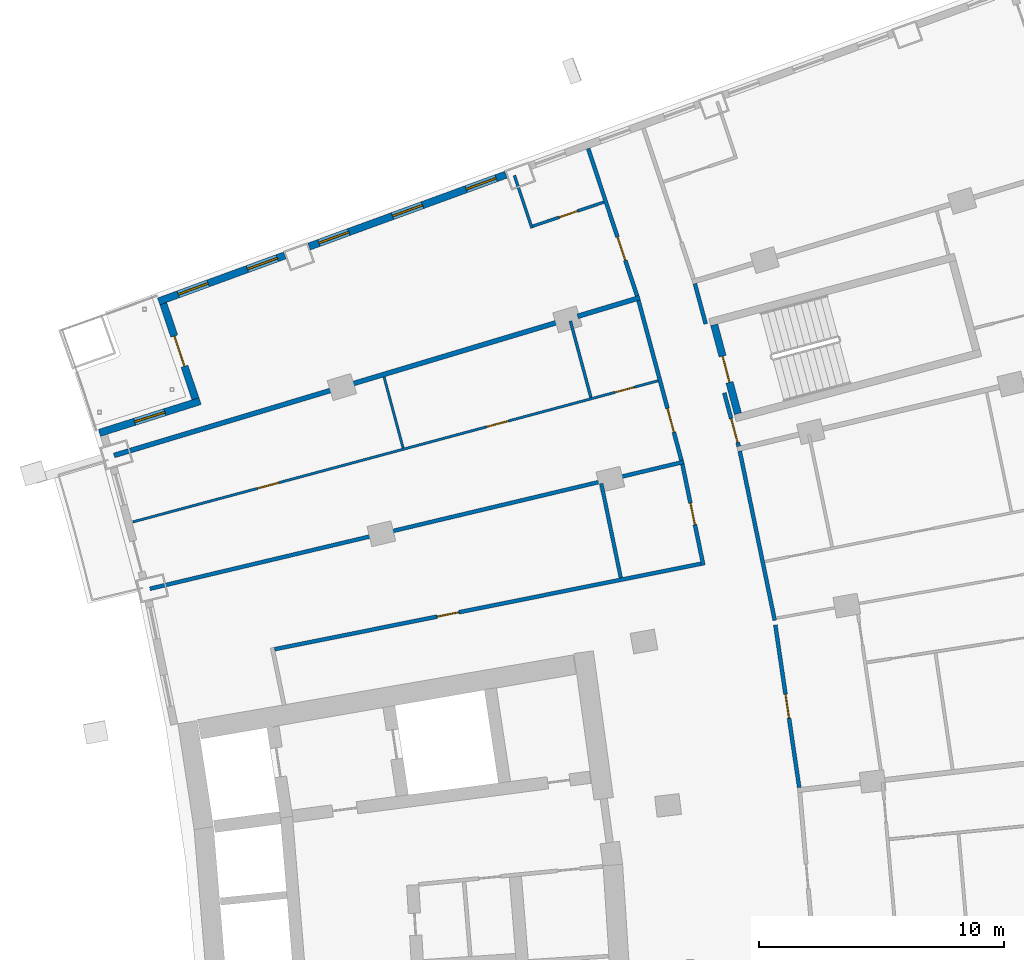
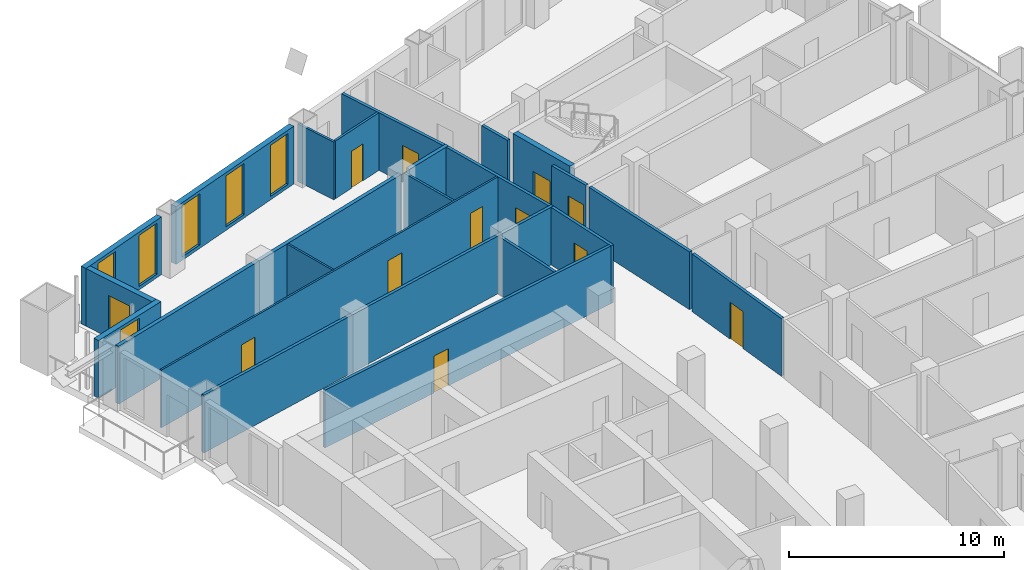
# One storey, part 19 of 25: 22 walls, 12 doors, 6 windows, 18 openings.
"""IFC4 building model written with IfcOpenShell, lengths in metres."""

import ifcopenshell
import ifcopenshell.guid

model = None  # the IFC model being written
_history = None  # IfcOwnerHistory: only IFC2X3 demands one
_inside = {}  # id of a spatial element -> (the spatial element, [elements in it])
_under = {}  # id of a project, library or spatial element -> (it, [spatial elements below it])
_declared = {}  # id of a project -> (the project, [libraries it declares])
_typed = {}  # id of a type object -> (the type object, [elements of that type])
_made_of = {}  # id of a material, layer set ... -> (it, [elements and type objects made of it])


def new_model(schema):
    """Start an empty IFC model of exactly this schema.

    Asked for "IFC4X3", IfcOpenShell would pick the latest addendum, in which some entities
    have other attributes; the version numbers below select the first issue.
    IFC2X3 requires an IfcOwnerHistory on every rooted entity: one is made here for all.
    """
    global model, _history
    if schema == "IFC4X3":
        model = ifcopenshell.file(schema_version=(4, 3, 0, 0))
    else:
        model = ifcopenshell.file(schema=schema)
    _inside.clear()
    _under.clear()
    _declared.clear()
    _typed.clear()
    _made_of.clear()
    _history = None
    if model.schema == "IFC2X3":
        org = make("IfcOrganization", Name="unknown")
        user = make(
            "IfcPersonAndOrganization",
            ThePerson=make("IfcPerson", FamilyName="unknown"),
            TheOrganization=org,
        )
        app = make(
            "IfcApplication",
            ApplicationDeveloper=org,
            Version="unknown",
            ApplicationFullName="unknown",
            ApplicationIdentifier="unknown",
        )
        _history = make(
            "IfcOwnerHistory",
            OwningUser=user,
            OwningApplication=app,
            ChangeAction="ADDED",
            CreationDate=0,
        )
    return model


def make(cls, **values):
    """One entity of the class cls with the attributes given. An attribute that is None is left unset."""
    return model.create_entity(
        cls, **{name: value for name, value in values.items() if value is not None}
    )


def rooted(cls, **values):
    """An entity with a GlobalId (a new one), such as an element, a storey or a relation."""
    return make(cls, GlobalId=ifcopenshell.guid.new(), OwnerHistory=_history, **values)


def si_unit(unit_type, name, prefix=None):
    """IfcSIUnit, for example si_unit("LENGTHUNIT", "METRE", prefix="MILLI")."""
    return make("IfcSIUnit", UnitType=unit_type, Prefix=prefix, Name=name)


def assignment(units):
    """IfcUnitAssignment: the units of a project."""
    return None if units is None else make("IfcUnitAssignment", Units=units)


def point(xyz):
    """IfcCartesianPoint."""
    return None if xyz is None else make("IfcCartesianPoint", Coordinates=xyz)


def direction(xyz):
    """IfcDirection."""
    return None if xyz is None else make("IfcDirection", DirectionRatios=xyz)


def frame(location, z_axis=None, x_axis=None):
    """IfcAxis2Placement3D, a coordinate frame: its origin and axes. An axis left out is left unset."""
    return make(
        "IfcAxis2Placement3D",
        Location=point(location),
        Axis=direction(z_axis),
        RefDirection=direction(x_axis),
    )


def frame_2d(location, x_axis=None):
    """IfcAxis2Placement2D, a coordinate frame in the plane: its origin and x axis."""
    return make(
        "IfcAxis2Placement2D", Location=point(location), RefDirection=direction(x_axis)
    )


def origin():
    """The frame at (0, 0, 0) with its axes left unset."""
    return frame((0.0, 0.0, 0.0))


def place(relative_to, where):
    """IfcLocalPlacement: puts the frame where relative to a parent placement (None: the world)."""
    return make(
        "IfcLocalPlacement", PlacementRelTo=relative_to, RelativePlacement=where
    )


def context(
    kind, dimensions, precision=None, world=None, true_north=None, identifier=None
):
    """IfcGeometricRepresentationContext, for example the 3D "Model" context."""
    return make(
        "IfcGeometricRepresentationContext",
        ContextIdentifier=identifier,
        ContextType=kind,
        CoordinateSpaceDimension=dimensions,
        Precision=precision,
        WorldCoordinateSystem=world,
        TrueNorth=true_north,
    )


def subcontext(parent, identifier, kind, view, scale=None):
    """IfcGeometricRepresentationSubContext, for example "Body" below "Model"."""
    return make(
        "IfcGeometricRepresentationSubContext",
        ContextIdentifier=identifier,
        ContextType=kind,
        ParentContext=parent,
        TargetScale=scale,
        TargetView=view,
    )


def project(units=None, contexts=None):
    """IfcProject with its units and contexts."""
    return rooted(
        "IfcProject",
        Name="project",
        RepresentationContexts=contexts,
        UnitsInContext=assignment(units),
    )


def spatial(cls, under=None, at=None, **own):
    """A site, building, storey or space (cls), placed at a placement, below another one or the project."""
    s = rooted(cls, ObjectPlacement=at, **own)
    if under is not None:
        _under.setdefault(under.id(), (under, []))[1].append(s)
    return s


def profile(cls, at=None, kind="AREA", **sizes):
    """A parametric profile (cls). Its sizes go by their IFC names, for example OverallWidth=200.0."""
    return make(cls, ProfileType=kind, Position=at, **sizes)


def rectangle(**sizes):
    """IfcRectangleProfileDef."""
    return profile("IfcRectangleProfileDef", **sizes)


def extrude(swept, where, along, depth):
    """IfcExtrudedAreaSolid: the profile swept, set in the frame where, extruded along a direction by depth."""
    return make(
        "IfcExtrudedAreaSolid",
        SweptArea=swept,
        Position=where,
        ExtrudedDirection=direction(along),
        Depth=depth,
    )


def shape(context_of_items, identifier, shape_type, items):
    """IfcShapeRepresentation: the items that make up one representation, for example the "Body"."""
    return make(
        "IfcShapeRepresentation",
        ContextOfItems=context_of_items,
        RepresentationIdentifier=identifier,
        RepresentationType=shape_type,
        Items=items,
    )


def material(Name=None, Category=None):
    """IfcMaterial."""
    return make("IfcMaterial", Name=Name, Category=Category)


def layer(
    of_material, thickness, ventilated=None, Name=None, Category=None, Priority=None
):
    """IfcMaterialLayer: one layer of a wall or slab, of a material (None: an air gap)."""
    return make(
        "IfcMaterialLayer",
        Material=of_material,
        LayerThickness=thickness,
        IsVentilated=ventilated,
        Name=Name,
        Category=Category,
        Priority=Priority,
    )


def layer_set(layers, Name=None):
    """IfcMaterialLayerSet."""
    return make("IfcMaterialLayerSet", MaterialLayers=layers, LayerSetName=Name)


def made_of(thing, what):
    """Note that an element or type object is made of a material, layer set ...; save() writes the relation."""
    if what is not None:
        _made_of.setdefault(what.id(), (what, []))[1].append(thing)
    return thing


def type_object(cls, material=None, **own):
    """A type object (cls), such as IfcWallType, which elements share."""
    return made_of(rooted(cls, **own), material)


def element(
    cls,
    number,
    at=None,
    inside=None,
    cuts=None,
    type_object=None,
    material=None,
    context=None,
    identifier="Body",
    shape_type=None,
    held_by="IfcProductDefinitionShape",
    body=None,
    shapes=None,
    **own,
):
    """One element of the class cls, such as IfcWall. Its Tag is "e" and its number.

    at: its placement. inside: the storey or other place that contains it. cuts: it is an
    opening in that element (IfcRelVoidsElement). A single representation is given by context,
    identifier, shape_type and body (its items); several are given by shapes. held_by: the class
    of the entity that holds the representations. save() writes the other relations.
    """
    e = rooted(cls, Tag="e%d" % number, ObjectPlacement=at, **own)
    if body is not None:
        shapes = [shape(context, identifier, shape_type, body)]
    if shapes is not None:
        e.Representation = make(held_by, Representations=shapes)
    if inside is not None:
        _inside.setdefault(inside.id(), (inside, []))[1].append(e)
    if cuts is not None:
        rooted(
            "IfcRelVoidsElement", RelatingBuildingElement=cuts, RelatedOpeningElement=e
        )
    if type_object is not None:
        _typed.setdefault(type_object.id(), (type_object, []))[1].append(e)
    return made_of(e, material)


def fill(opening, filler):
    """IfcRelFillsElement: the door or window that sits in an opening."""
    return rooted(
        "IfcRelFillsElement",
        RelatingOpeningElement=opening,
        RelatedBuildingElement=filler,
    )


def aggregate(whole, parts):
    """IfcRelAggregates: a whole, such as a stair, and the parts it consists of."""
    return rooted("IfcRelAggregates", RelatingObject=whole, RelatedObjects=parts)


def save(model, path):
    """Write the relations noted so far, then the file.

    IfcRelAggregates (storeys below a building ...), IfcRelContainedInSpatialStructure (elements
    in a storey), IfcRelDefinesByType, IfcRelAssociatesMaterial and IfcRelDeclares: one each for
    every whole, place, type object, material and project.
    """
    for whole, parts in _under.values():
        aggregate(whole, parts)
    for where, things in _inside.values():
        rooted(
            "IfcRelContainedInSpatialStructure",
            RelatedElements=things,
            RelatingStructure=where,
        )
    for kind, things in _typed.values():
        rooted("IfcRelDefinesByType", RelatedObjects=things, RelatingType=kind)
    for what, things in _made_of.values():
        rooted("IfcRelAssociatesMaterial", RelatedObjects=things, RelatingMaterial=what)
    for by, libraries in _declared.values():
        rooted("IfcRelDeclares", RelatingContext=by, RelatedDefinitions=libraries)
    model.write(path)


model = new_model("IFC4")

# Units and contexts
model_context = context("Model", 3, precision=1e-05, world=origin(), true_north=direction((0.0, 1.0)))
body_context = subcontext(model_context, "Body", "Model", "MODEL_VIEW")
ifc_project = project(units=[si_unit("LENGTHUNIT", "METRE"), si_unit("AREAUNIT", "SQUARE_METRE"), si_unit("VOLUMEUNIT", "CUBIC_METRE"), si_unit("PLANEANGLEUNIT", "RADIAN"), si_unit("MASSUNIT", "GRAM", prefix="KILO")], contexts=[model_context])

# Site, building, storey
site_placement = place(None, origin())
site = spatial("IfcSite", under=ifc_project, at=site_placement, CompositionType="ELEMENT")
building_placement = place(site_placement, origin())
building = spatial("IfcBuilding", under=site, at=building_placement, Name="Alderwake Tower", CompositionType="ELEMENT")
storey_placement = place(building_placement, frame((0.0, 0.0, 111.199951171875)))
storey = spatial("IfcBuildingStorey", under=building, at=storey_placement, Name="L27", CompositionType="ELEMENT", Elevation=111.199951171875)

# Wall, opening, door
ifc_material_1 = material(Name="Concrete C70/85", Category="concrete")
ifc_layer_1 = layer(ifc_material_1, 0.300048828125)
ifc_layer_set_1 = layer_set([ifc_layer_1], Name="Core wall stair enclosure 300 C70-85")
wall_type_1 = type_object("IfcWallType", Name="Core wall stair enclosure 300 C70-85", PredefinedType="SHEAR", material=ifc_layer_set_1)
wall_1_placement = place(storey_placement, frame((37.8603515625, 90.452392578125, 0.0), z_axis=(0.0, 0.0, 1.0), x_axis=(-0.257411420208, 0.966301899381, 0.0)))
wall_1 = element("IfcWall", 1, at=wall_1_placement, inside=storey, type_object=wall_type_1, Name="Core wall CW.083", PredefinedType="SHEAR", context=body_context, shape_type="SweptSolid", body=[
    extrude(rectangle(XDim=3.750244140625, YDim=0.300048828125, at=frame_2d((1.875, 0.0))), origin(), (0.0, 0.0, 1.0), 3.60009765625),
])
opening_1_placement = place(wall_1_placement, frame((1.324951171875, 0.0, 0.0)))
opening_1 = element("IfcOpeningElement", 2, at=opening_1_placement, cuts=wall_1, Name="Opening C062", PredefinedType="OPENING", context=body_context, shape_type="SweptSolid", body=[
    extrude(rectangle(XDim=1.10009765625, YDim=2.10009765625, at=frame_2d((0.550048828125, 1.050048828125))), frame((0.0, 0.159912109375, 0.0), z_axis=(0.0, -1.0, 0.0), x_axis=(1.0, 0.0, 0.0)), (0.0, 0.0, 1.0), 0.320068359375),
])
ifc_material_2 = material(Name="Steel-framed fire door leaf", Category="steel")
door_type_1 = type_object("IfcDoorType", Name="Core stair door 1100 fire-rated", OperationType="SINGLE_SWING_LEFT", PredefinedType="DOOR", material=ifc_material_2)
door_1_placement = place(opening_1_placement, origin())
door_1 = element("IfcDoor", 3, at=door_1_placement, inside=storey, type_object=door_type_1, Name="Stair door", OperationType="SINGLE_SWING_RIGHT", OverallHeight=2.10009765625, OverallWidth=1.10009765625, PredefinedType="DOOR", context=body_context, shape_type="SweptSolid", body=[
    extrude(rectangle(XDim=1.10009765625, YDim=2.10009765625, at=frame_2d((0.550048828125, 1.050048828125))), frame((0.0, 0.02490234375, 0.0), z_axis=(0.0, -1.0, 0.0), x_axis=(1.0, 0.0, 0.0)), (0.0, 0.0, 1.0), 0.050048828125),
])
fill(opening_1, door_1)

# Wall
ifc_material_3 = material(Name="Gypsum board on metal studs, rated")
ifc_layer_2 = layer(ifc_material_3, 0.159912109375)
ifc_layer_set_2 = layer_set([ifc_layer_2], Name="Corridor wall 160")
wall_type_2 = type_object("IfcWallType", Name="Corridor wall 160", PredefinedType="PARTITIONING", material=ifc_layer_set_2)
wall_2_placement = place(storey_placement, frame((13.884033203125, 83.31298828125, 0.0), z_axis=(0.0, 0.0, 1.0), x_axis=(0.972893462073, 0.231253781493, 0.0)))
element("IfcWall", 4, at=wall_2_placement, inside=storey, type_object=wall_type_2, Name="WL/L27/W17", PredefinedType="PARTITIONING", context=body_context, shape_type="SweptSolid", body=[
    extrude(rectangle(XDim=22.38037109375, YDim=0.159912109375, at=frame_2d((11.190185546875, 0.0))), origin(), (0.0, 0.0, 1.0), 3.280029296875),
])

# Wall, opening, door
wall_3_placement = place(storey_placement, frame((33.75146484375, 95.2548828125, 0.0), z_axis=(0.0, 0.0, 1.0), x_axis=(-0.315406156735, 0.948956772616, 0.0)))
wall_3 = element("IfcWall", 5, at=wall_3_placement, inside=storey, type_object=wall_type_2, Name="WL/L27/W21", PredefinedType="PARTITIONING", context=body_context, shape_type="SweptSolid", body=[
    extrude(rectangle(XDim=6.330078125, YDim=0.159912109375, at=frame_2d((3.1650390625, 0.0))), origin(), (0.0, 0.0, 1.0), 3.280029296875),
])
opening_2_placement = place(wall_3_placement, frame((1.529052734375, 0.0, 0.0)))
opening_2 = element("IfcOpeningElement", 6, at=opening_2_placement, cuts=wall_3, Name="Opening R07-U13.1", PredefinedType="OPENING", context=body_context, shape_type="SweptSolid", body=[
    extrude(rectangle(XDim=1.0, YDim=2.10009765625, at=frame_2d((0.5, 1.050048828125))), frame((0.0, 0.08984375, 0.0), z_axis=(0.0, -1.0, 0.0), x_axis=(1.0, 0.0, 0.0)), (0.0, 0.0, 1.0), 0.179931640625),
])
ifc_material_4 = material(Name="Solid timber leaf in steel frame", Category="steel")
door_type_2 = type_object("IfcDoorType", Name="Flat entrance door 1000 fire-rated", OperationType="SINGLE_SWING_LEFT", PredefinedType="DOOR", material=ifc_material_4)
door_2_placement = place(opening_2_placement, origin())
door_2 = element("IfcDoor", 7, at=door_2_placement, inside=storey, type_object=door_type_2, Name="DR/L27/U13.1", OperationType="SINGLE_SWING_LEFT", OverallHeight=2.10009765625, OverallWidth=1.0, PredefinedType="DOOR", context=body_context, shape_type="SweptSolid", body=[
    extrude(rectangle(XDim=1.0, YDim=2.10009765625, at=frame_2d((0.5, 1.050048828125))), frame((0.0, 0.02490234375, 0.0), z_axis=(0.0, -1.0, 0.0), x_axis=(1.0, 0.0, 0.0)), (0.0, 0.0, 1.0), 0.050048828125),
])
fill(opening_2, door_2)

wall_4_placement = place(storey_placement, frame((35.55908203125, 88.54736328125, 0.0), z_axis=(0.0, 0.0, 1.0), x_axis=(-0.259373900693, 0.965776982351, 0.0)))
wall_4 = element("IfcWall", 8, at=wall_4_placement, inside=storey, type_object=wall_type_2, Name="WL/L27/W24", PredefinedType="PARTITIONING", context=body_context, shape_type="SweptSolid", body=[
    extrude(rectangle(XDim=6.7470703125, YDim=0.159912109375, at=frame_2d((3.37353515625, 0.0))), origin(), (0.0, 0.0, 1.0), 3.280029296875),
])
opening_3_placement = place(wall_4_placement, frame((1.191650390625, 0.0, 0.0)))
opening_3 = element("IfcOpeningElement", 9, at=opening_3_placement, cuts=wall_4, Name="Opening R07-U12.2", PredefinedType="OPENING", context=body_context, shape_type="SweptSolid", body=[
    extrude(rectangle(XDim=1.0, YDim=2.10009765625, at=frame_2d((0.5, 1.050048828125))), frame((0.0, 0.08984375, 0.0), z_axis=(0.0, -1.0, 0.0), x_axis=(1.0, 0.0, 0.0)), (0.0, 0.0, 1.0), 0.179931640625),
])
door_3_placement = place(opening_3_placement, origin())
door_3 = element("IfcDoor", 10, at=door_3_placement, inside=storey, type_object=door_type_2, Name="DR/L27/U12.2", OperationType="SINGLE_SWING_LEFT", OverallHeight=2.10009765625, OverallWidth=1.0, PredefinedType="DOOR", context=body_context, shape_type="SweptSolid", body=[
    extrude(rectangle(XDim=1.0, YDim=2.10009765625, at=frame_2d((0.5, 1.050048828125))), frame((0.0, 0.02490234375, 0.0), z_axis=(0.0, -1.0, 0.0), x_axis=(1.0, 0.0, 0.0)), (0.0, 0.0, 1.0), 0.050048828125),
])
fill(opening_3, door_3)

wall_5_placement = place(storey_placement, frame((36.451416015625, 84.272705078125, 0.0), z_axis=(0.0, 0.0, 1.0), x_axis=(-0.20329833965, 0.979116839348, 0.0)))
wall_5 = element("IfcWall", 11, at=wall_5_placement, inside=storey, type_object=wall_type_2, Name="WL/L27/W26", PredefinedType="PARTITIONING", context=body_context, shape_type="SweptSolid", body=[
    extrude(rectangle(XDim=4.206787109375, YDim=0.159912109375, at=frame_2d((2.103515625, 0.0))), origin(), (0.0, 0.0, 1.0), 3.280029296875),
])
opening_4_placement = place(wall_5_placement, frame((1.69287109375, 0.0, 0.0)))
opening_4 = element("IfcOpeningElement", 12, at=opening_4_placement, cuts=wall_5, Name="Opening R07-SBN2", PredefinedType="OPENING", context=body_context, shape_type="SweptSolid", body=[
    extrude(rectangle(XDim=0.89990234375, YDim=2.10009765625, at=frame_2d((0.449951171875, 1.050048828125))), frame((0.0, 0.08984375, 0.0), z_axis=(0.0, -1.0, 0.0), x_axis=(1.0, 0.0, 0.0)), (0.0, 0.0, 1.0), 0.179931640625),
])
ifc_material_5 = material(Name="Painted timber leaf", Category="wood")
door_type_3 = type_object("IfcDoorType", Name="Room door 900", OperationType="SINGLE_SWING_LEFT", PredefinedType="DOOR", material=ifc_material_5)
door_4_placement = place(opening_4_placement, origin())
door_4 = element("IfcDoor", 13, at=door_4_placement, inside=storey, type_object=door_type_3, Name="DR/L27/SBN2", OperationType="SINGLE_SWING_LEFT", OverallHeight=2.10009765625, OverallWidth=0.89990234375, PredefinedType="DOOR", context=body_context, shape_type="SweptSolid", body=[
    extrude(rectangle(XDim=0.89990234375, YDim=2.10009765625, at=frame_2d((0.449951171875, 1.050048828125))), frame((0.0, 0.02490234375, 0.0), z_axis=(0.0, -1.0, 0.0), x_axis=(1.0, 0.0, 0.0)), (0.0, 0.0, 1.0), 0.050048828125),
])
fill(opening_4, door_4)

wall_6_placement = place(storey_placement, frame((18.969482421875, 80.84765625, 0.0), z_axis=(0.0, 0.0, 1.0), x_axis=(0.980470914622, 0.196664144112, 0.0)))
wall_6 = element("IfcWall", 14, at=wall_6_placement, inside=storey, type_object=wall_type_2, Name="WL/L27/W30", PredefinedType="PARTITIONING", context=body_context, shape_type="SweptSolid", body=[
    extrude(rectangle(XDim=17.733642578125, YDim=0.159912109375, at=frame_2d((8.86669921875, 0.0))), origin(), (0.0, 0.0, 1.0), 3.280029296875),
])
opening_5_placement = place(wall_6_placement, frame((6.756591796875, 0.0, 0.0)))
opening_5 = element("IfcOpeningElement", 15, at=opening_5_placement, cuts=wall_6, Name="Opening R07-SBN1", PredefinedType="OPENING", context=body_context, shape_type="SweptSolid", body=[
    extrude(rectangle(XDim=0.89990234375, YDim=2.10009765625, at=frame_2d((0.449951171875, 1.050048828125))), frame((0.0, 0.08984375, 0.0), z_axis=(0.0, -1.0, 0.0), x_axis=(1.0, 0.0, 0.0)), (0.0, 0.0, 1.0), 0.179931640625),
])
door_5_placement = place(opening_5_placement, origin())
door_5 = element("IfcDoor", 16, at=door_5_placement, inside=storey, type_object=door_type_3, Name="DR/L27/SBN1", OperationType="SINGLE_SWING_LEFT", OverallHeight=2.10009765625, OverallWidth=0.89990234375, PredefinedType="DOOR", context=body_context, shape_type="SweptSolid", body=[
    extrude(rectangle(XDim=0.89990234375, YDim=2.10009765625, at=frame_2d((0.449951171875, 1.050048828125))), frame((0.0, 0.02490234375, 0.0), z_axis=(0.0, -1.0, 0.0), x_axis=(1.0, 0.0, 0.0)), (0.0, 0.0, 1.0), 0.050048828125),
])
fill(opening_5, door_5)

# Wall
wall_7_placement = place(storey_placement, frame((36.549072265625, 94.110107421875, 0.0), z_axis=(0.0, 0.0, 1.0), x_axis=(-0.259813977097, 0.965658685719, 0.0)))
element("IfcWall", 17, at=wall_7_placement, inside=storey, type_object=wall_type_2, Name="WL/L27/W31", PredefinedType="PARTITIONING", context=body_context, shape_type="SweptSolid", body=[
    extrude(rectangle(XDim=1.70166015625, YDim=0.159912109375, at=frame_2d((0.850830078125, 0.0))), origin(), (0.0, 0.0, 1.0), 3.280029296875),
])

# Wall, opening, door
wall_8_placement = place(storey_placement, frame((37.304931640625, 91.299072265625, 0.0), z_axis=(0.0, 0.0, 1.0), x_axis=(0.259946294884, -0.965623075416, 0.0)))
wall_8 = element("IfcWall", 18, at=wall_8_placement, inside=storey, type_object=wall_type_2, Name="WL/L27/W34", PredefinedType="PARTITIONING", context=body_context, shape_type="SweptSolid", body=[
    extrude(rectangle(XDim=2.255126953125, YDim=0.159912109375, at=frame_2d((1.12744140625, 0.0))), origin(), (0.0, 0.0, 1.0), 3.280029296875),
])
opening_6_placement = place(wall_8_placement, frame((1.083984375, 0.0, 0.0)))
opening_6 = element("IfcOpeningElement", 19, at=opening_6_placement, cuts=wall_8, Name="Opening R07-U02.1", PredefinedType="OPENING", context=body_context, shape_type="SweptSolid", body=[
    extrude(rectangle(XDim=1.0, YDim=2.10009765625, at=frame_2d((0.5, 1.050048828125))), frame((0.0, 0.08984375, 0.0), z_axis=(0.0, -1.0, 0.0), x_axis=(1.0, 0.0, 0.0)), (0.0, 0.0, 1.0), 0.179931640625),
])
door_6_placement = place(opening_6_placement, origin())
door_6 = element("IfcDoor", 20, at=door_6_placement, inside=storey, type_object=door_type_2, Name="DR/L27/U02.1", OperationType="SINGLE_SWING_LEFT", OverallHeight=2.10009765625, OverallWidth=1.0, PredefinedType="DOOR", context=body_context, shape_type="SweptSolid", body=[
    extrude(rectangle(XDim=1.0, YDim=2.10009765625, at=frame_2d((0.5, 1.050048828125))), frame((0.0, 0.02490234375, 0.0), z_axis=(0.0, -1.0, 0.0), x_axis=(1.0, 0.0, 0.0)), (0.0, 0.0, 1.0), 0.050048828125),
])
fill(opening_6, door_6)

# Wall
wall_9_placement = place(storey_placement, frame((39.3642578125, 82.022705078125, 0.0), z_axis=(0.0, 0.0, 1.0), x_axis=(-0.20240521091, 0.979301858773, 0.0)))
element("IfcWall", 21, at=wall_9_placement, inside=storey, type_object=wall_type_2, Name="WL/L27/W36", PredefinedType="PARTITIONING", context=body_context, shape_type="SweptSolid", body=[
    extrude(rectangle(XDim=7.05029296875, YDim=0.159912109375, at=frame_2d((3.525146484375, 0.0))), origin(), (0.0, 0.0, 1.0), 3.280029296875),
])

# Wall, opening, door
wall_10_placement = place(storey_placement, frame((39.38671875, 81.837158203125, 0.0), z_axis=(0.0, 0.0, 1.0), x_axis=(0.145576845789, -0.989346947218, 0.0)))
wall_10 = element("IfcWall", 22, at=wall_10_placement, inside=storey, type_object=wall_type_2, Name="WL/L27/W39", PredefinedType="PARTITIONING", context=body_context, shape_type="SweptSolid", body=[
    extrude(rectangle(XDim=6.701416015625, YDim=0.159912109375, at=frame_2d((3.3505859375, 0.0))), origin(), (0.0, 0.0, 1.0), 3.280029296875),
])
opening_7_placement = place(wall_10_placement, frame((2.850830078125, 0.0, 0.0)))
opening_7 = element("IfcOpeningElement", 23, at=opening_7_placement, cuts=wall_10, Name="Opening R07-U09.2", PredefinedType="OPENING", context=body_context, shape_type="SweptSolid", body=[
    extrude(rectangle(XDim=1.0, YDim=2.10009765625, at=frame_2d((0.5, 1.050048828125))), frame((0.0, 0.08984375, 0.0), z_axis=(0.0, -1.0, 0.0), x_axis=(1.0, 0.0, 0.0)), (0.0, 0.0, 1.0), 0.179931640625),
])
door_7_placement = place(opening_7_placement, origin())
door_7 = element("IfcDoor", 24, at=door_7_placement, inside=storey, type_object=door_type_2, Name="DR/L27/U09.2", OperationType="SINGLE_SWING_LEFT", OverallHeight=2.10009765625, OverallWidth=1.0, PredefinedType="DOOR", context=body_context, shape_type="SweptSolid", body=[
    extrude(rectangle(XDim=1.0, YDim=2.10009765625, at=frame_2d((0.5, 1.050048828125))), frame((0.0, 0.02490234375, 0.0), z_axis=(0.0, -1.0, 0.0), x_axis=(1.0, 0.0, 0.0)), (0.0, 0.0, 1.0), 0.050048828125),
])
fill(opening_7, door_7)

# Wall, openings, windows
ifc_material_6 = material(Name="Bronze metal cladding on lightweight framing")
ifc_layer_3 = layer(ifc_material_6, 0.300048828125)
ifc_layer_set_3 = layer_set([ifc_layer_3], Name="External wall EW2 bronze metal cladding")
wall_type_3 = type_object("IfcWallType", Name="External wall EW2 bronze metal cladding", PredefinedType="SOLIDWALL", material=ifc_layer_set_3)
wall_11_placement = place(storey_placement, frame((28.402587890625, 100.197509765625, 0.0), z_axis=(0.0, 0.0, 1.0), x_axis=(-0.939364770023, -0.342919566137, 0.0)))
wall_11 = element("IfcWall", 25, at=wall_11_placement, inside=storey, type_object=wall_type_3, Name="External wall 28", PredefinedType="SOLIDWALL", context=body_context, shape_type="SweptSolid", body=[
    extrude(rectangle(XDim=8.54541015625, YDim=0.300048828125, at=frame_2d((4.272705078125, 0.0))), origin(), (0.0, 0.0, 1.0), 3.280029296875),
])
opening_8_placement = place(wall_11_placement, frame((0.4228515625, 0.0, 0.199951171875)))
opening_8 = element("IfcOpeningElement", 26, at=opening_8_placement, cuts=wall_11, Name="Opening W1", PredefinedType="OPENING", context=body_context, shape_type="SweptSolid", body=[
    extrude(rectangle(XDim=1.300048828125, YDim=2.89990234375, at=frame_2d((0.64990234375, 1.449951171875))), frame((0.0, 0.159912109375, 0.0), z_axis=(0.0, -1.0, 0.0), x_axis=(1.0, 0.0, 0.0)), (0.0, 0.0, 1.0), 0.320068359375),
])
opening_9_placement = place(wall_11_placement, frame((3.622802734375, 0.0, 0.199951171875)))
opening_9 = element("IfcOpeningElement", 27, at=opening_9_placement, cuts=wall_11, Name="Opening W1", PredefinedType="OPENING", context=body_context, shape_type="SweptSolid", body=[
    extrude(rectangle(XDim=1.300048828125, YDim=2.89990234375, at=frame_2d((0.64990234375, 1.449951171875))), frame((0.0, 0.159912109375, 0.0), z_axis=(0.0, -1.0, 0.0), x_axis=(1.0, 0.0, 0.0)), (0.0, 0.0, 1.0), 0.320068359375),
])
opening_10_placement = place(wall_11_placement, frame((6.822998046875, 0.0, 0.199951171875)))
opening_10 = element("IfcOpeningElement", 28, at=opening_10_placement, cuts=wall_11, Name="Opening W1", PredefinedType="OPENING", context=body_context, shape_type="SweptSolid", body=[
    extrude(rectangle(XDim=1.300048828125, YDim=2.89990234375, at=frame_2d((0.64990234375, 1.449951171875))), frame((0.0, 0.159912109375, 0.0), z_axis=(0.0, -1.0, 0.0), x_axis=(1.0, 0.0, 0.0)), (0.0, 0.0, 1.0), 0.320068359375),
])
ifc_material_7 = material(Name="Bronze tinted glass in aluminium frame", Category="aluminium")
window_type = type_object("IfcWindowType", Name="Window W1 tall fixed and vent", PartitioningType="DOUBLE_PANEL_VERTICAL", PredefinedType="WINDOW", material=ifc_material_7)
window_1_placement = place(opening_8_placement, origin())
window_1 = element("IfcWindow", 29, at=window_1_placement, inside=storey, type_object=window_type, Name="Window W1 tall fixed and vent", OverallHeight=2.89990234375, OverallWidth=1.300048828125, PartitioningType="DOUBLE_PANEL_VERTICAL", PredefinedType="WINDOW", context=body_context, shape_type="SweptSolid", body=[
    extrude(rectangle(XDim=1.300048828125, YDim=2.89990234375, at=frame_2d((0.64990234375, 1.449951171875))), frame((0.0, 0.030029296875, 0.0), z_axis=(0.0, -1.0, 0.0), x_axis=(1.0, 0.0, 0.0)), (0.0, 0.0, 1.0), 0.06005859375),
])
fill(opening_8, window_1)
window_2_placement = place(opening_9_placement, origin())
window_2 = element("IfcWindow", 30, at=window_2_placement, inside=storey, type_object=window_type, Name="Window W1 tall fixed and vent", OverallHeight=2.89990234375, OverallWidth=1.300048828125, PartitioningType="DOUBLE_PANEL_VERTICAL", PredefinedType="WINDOW", context=body_context, shape_type="SweptSolid", body=[
    extrude(rectangle(XDim=1.300048828125, YDim=2.89990234375, at=frame_2d((0.64990234375, 1.449951171875))), frame((0.0, 0.030029296875, 0.0), z_axis=(0.0, -1.0, 0.0), x_axis=(1.0, 0.0, 0.0)), (0.0, 0.0, 1.0), 0.06005859375),
])
fill(opening_9, window_2)
window_3_placement = place(opening_10_placement, origin())
window_3 = element("IfcWindow", 31, at=window_3_placement, inside=storey, type_object=window_type, Name="Window W1 tall fixed and vent", OverallHeight=2.89990234375, OverallWidth=1.300048828125, PartitioningType="DOUBLE_PANEL_VERTICAL", PredefinedType="WINDOW", context=body_context, shape_type="SweptSolid", body=[
    extrude(rectangle(XDim=1.300048828125, YDim=2.89990234375, at=frame_2d((0.64990234375, 1.449951171875))), frame((0.0, 0.030029296875, 0.0), z_axis=(0.0, -1.0, 0.0), x_axis=(1.0, 0.0, 0.0)), (0.0, 0.0, 1.0), 0.06005859375),
])
fill(opening_10, window_3)

wall_12_placement = place(storey_placement, frame((19.38427734375, 96.905517578125, 0.0), z_axis=(0.0, 0.0, 1.0), x_axis=(-0.939366897407, -0.342913738506, 0.0)))
wall_12 = element("IfcWall", 32, at=wall_12_placement, inside=storey, type_object=wall_type_3, Name="External wall 29", PredefinedType="SOLIDWALL", context=body_context, shape_type="SweptSolid", body=[
    extrude(rectangle(XDim=5.474365234375, YDim=0.300048828125, at=frame_2d((2.7373046875, 0.0))), origin(), (0.0, 0.0, 1.0), 3.280029296875),
])
opening_11_placement = place(wall_12_placement, frame((0.322998046875, 0.0, 0.199951171875)))
opening_11 = element("IfcOpeningElement", 33, at=opening_11_placement, cuts=wall_12, Name="Opening W1", PredefinedType="OPENING", context=body_context, shape_type="SweptSolid", body=[
    extrude(rectangle(XDim=1.300048828125, YDim=2.89990234375, at=frame_2d((0.64990234375, 1.449951171875))), frame((0.0, 0.159912109375, 0.0), z_axis=(0.0, -1.0, 0.0), x_axis=(1.0, 0.0, 0.0)), (0.0, 0.0, 1.0), 0.320068359375),
])
opening_12_placement = place(wall_12_placement, frame((3.32373046875, 0.0, 0.199951171875)))
opening_12 = element("IfcOpeningElement", 34, at=opening_12_placement, cuts=wall_12, Name="Opening W1", PredefinedType="OPENING", context=body_context, shape_type="SweptSolid", body=[
    extrude(rectangle(XDim=1.300048828125, YDim=2.89990234375, at=frame_2d((0.64990234375, 1.449951171875))), frame((0.0, 0.159912109375, 0.0), z_axis=(0.0, -1.0, 0.0), x_axis=(1.0, 0.0, 0.0)), (0.0, 0.0, 1.0), 0.320068359375),
])
window_4_placement = place(opening_11_placement, origin())
window_4 = element("IfcWindow", 35, at=window_4_placement, inside=storey, type_object=window_type, Name="Window W1 tall fixed and vent", OverallHeight=2.89990234375, OverallWidth=1.300048828125, PartitioningType="DOUBLE_PANEL_VERTICAL", PredefinedType="WINDOW", context=body_context, shape_type="SweptSolid", body=[
    extrude(rectangle(XDim=1.300048828125, YDim=2.89990234375, at=frame_2d((0.64990234375, 1.449951171875))), frame((0.0, 0.030029296875, 0.0), z_axis=(0.0, -1.0, 0.0), x_axis=(1.0, 0.0, 0.0)), (0.0, 0.0, 1.0), 0.06005859375),
])
fill(opening_11, window_4)
window_5_placement = place(opening_12_placement, origin())
window_5 = element("IfcWindow", 36, at=window_5_placement, inside=storey, type_object=window_type, Name="Window W1 tall fixed and vent", OverallHeight=2.89990234375, OverallWidth=1.300048828125, PartitioningType="DOUBLE_PANEL_VERTICAL", PredefinedType="WINDOW", context=body_context, shape_type="SweptSolid", body=[
    extrude(rectangle(XDim=1.300048828125, YDim=2.89990234375, at=frame_2d((0.64990234375, 1.449951171875))), frame((0.0, 0.030029296875, 0.0), z_axis=(0.0, -1.0, 0.0), x_axis=(1.0, 0.0, 0.0)), (0.0, 0.0, 1.0), 0.06005859375),
])
fill(opening_12, window_5)

# Wall, opening, door
wall_13_placement = place(storey_placement, frame((14.430908203125, 94.937744140625, 0.0), z_axis=(0.0, 0.0, 1.0), x_axis=(0.320379458656, -0.947289291859, 0.0)))
wall_13 = element("IfcWall", 37, at=wall_13_placement, inside=storey, type_object=wall_type_3, Name="External wall 30", PredefinedType="SOLIDWALL", context=body_context, shape_type="SweptSolid", body=[
    extrude(rectangle(XDim=4.08984375, YDim=0.300048828125, at=frame_2d((2.044921875, 0.0))), origin(), (0.0, 0.0, 1.0), 3.280029296875),
])
opening_13_placement = place(wall_13_placement, frame((1.39501953125, 0.0, 0.0)))
opening_13 = element("IfcOpeningElement", 38, at=opening_13_placement, cuts=wall_13, Name="Opening D13", PredefinedType="OPENING", context=body_context, shape_type="SweptSolid", body=[
    extrude(rectangle(XDim=1.300048828125, YDim=2.39990234375, at=frame_2d((0.64990234375, 1.199951171875))), frame((0.0, 0.159912109375, 0.0), z_axis=(0.0, -1.0, 0.0), x_axis=(1.0, 0.0, 0.0)), (0.0, 0.0, 1.0), 0.320068359375),
])
ifc_material_8 = material(Name="Bronze tinted glass in aluminium frame", Category="aluminium")
door_type_4 = type_object("IfcDoorType", Name="Balcony door BD sliding", OperationType="SLIDING_TO_LEFT", PredefinedType="DOOR", material=ifc_material_8)
door_8_placement = place(opening_13_placement, origin())
door_8 = element("IfcDoor", 39, at=door_8_placement, inside=storey, type_object=door_type_4, Name="Door D13", OperationType="SLIDING_TO_LEFT", OverallHeight=2.39990234375, OverallWidth=1.300048828125, PredefinedType="DOOR", context=body_context, shape_type="SweptSolid", body=[
    extrude(rectangle(XDim=1.300048828125, YDim=2.39990234375, at=frame_2d((0.64990234375, 1.199951171875))), frame((0.0, 0.02490234375, 0.0), z_axis=(0.0, -1.0, 0.0), x_axis=(1.0, 0.0, 0.0)), (0.0, 0.0, 1.0), 0.050048828125),
])
fill(opening_13, door_8)

# Wall, opening, window
wall_14_placement = place(storey_placement, frame((15.932373046875, 90.966552734375, 0.0), z_axis=(0.0, 0.0, 1.0), x_axis=(-0.953473772386, -0.301475978103, 0.0)))
wall_14 = element("IfcWall", 40, at=wall_14_placement, inside=storey, type_object=wall_type_3, Name="External wall 31", PredefinedType="SOLIDWALL", context=body_context, shape_type="SweptSolid", body=[
    extrude(rectangle(XDim=4.305908203125, YDim=0.300048828125, at=frame_2d((2.15283203125, 0.0))), origin(), (0.0, 0.0, 1.0), 3.280029296875),
])
opening_14_placement = place(wall_14_placement, frame((1.5029296875, 0.0, 0.199951171875)))
opening_14 = element("IfcOpeningElement", 41, at=opening_14_placement, cuts=wall_14, Name="Opening W1", PredefinedType="OPENING", context=body_context, shape_type="SweptSolid", body=[
    extrude(rectangle(XDim=1.300048828125, YDim=2.89990234375, at=frame_2d((0.64990234375, 1.449951171875))), frame((0.0, 0.159912109375, 0.0), z_axis=(0.0, -1.0, 0.0), x_axis=(1.0, 0.0, 0.0)), (0.0, 0.0, 1.0), 0.320068359375),
])
window_6_placement = place(opening_14_placement, origin())
window_6 = element("IfcWindow", 42, at=window_6_placement, inside=storey, type_object=window_type, Name="Window W1 tall fixed and vent", OverallHeight=2.89990234375, OverallWidth=1.300048828125, PartitioningType="DOUBLE_PANEL_VERTICAL", PredefinedType="WINDOW", context=body_context, shape_type="SweptSolid", body=[
    extrude(rectangle(XDim=1.300048828125, YDim=2.89990234375, at=frame_2d((0.64990234375, 1.449951171875))), frame((0.0, 0.030029296875, 0.0), z_axis=(0.0, -1.0, 0.0), x_axis=(1.0, 0.0, 0.0)), (0.0, 0.0, 1.0), 0.06005859375),
])
fill(opening_14, window_6)

# Walls
ifc_material_9 = material(Name="Dense block masonry wall", Category="masonry")
ifc_layer_4 = layer(ifc_material_9, 0.199951171875)
ifc_layer_set_4 = layer_set([ifc_layer_4], Name="Party wall 200")
wall_type_4 = type_object("IfcWallType", Name="Party wall 200", PredefinedType="SOLIDWALL", material=ifc_layer_set_4)
wall_15_placement = place(storey_placement, frame((30.812744140625, 94.270751953125, 0.0), z_axis=(0.0, 0.0, 1.0), x_axis=(-0.957756965565, -0.287578849904, 0.0)))
element("IfcWall", 43, at=wall_15_placement, inside=storey, type_object=wall_type_4, Name="WL/L27/W01", PredefinedType="SOLIDWALL", context=body_context, shape_type="SweptSolid", body=[
    extrude(rectangle(XDim=19.20068359375, YDim=0.199951171875, at=frame_2d((9.600341796875, 0.0))), origin(), (0.0, 0.0, 1.0), 3.280029296875),
])
wall_16_placement = place(storey_placement, frame((33.859619140625, 95.18310546875, 0.0), z_axis=(0.0, 0.0, 1.0), x_axis=(-0.957762803886, -0.287559405153, 0.0)))
element("IfcWall", 44, at=wall_16_placement, inside=storey, type_object=wall_type_4, Name="WL/L27/W04", PredefinedType="SOLIDWALL", context=body_context, shape_type="SweptSolid", body=[
    extrude(rectangle(XDim=2.647216796875, YDim=0.199951171875, at=frame_2d((1.32373046875, 0.0))), origin(), (0.0, 0.0, 1.0), 3.280029296875),
])
ifc_material_10 = material(Name="Gypsum shaft wall system, rated")
ifc_layer_5 = layer(ifc_material_10, 0.14990234375)
ifc_layer_set_5 = layer_set([ifc_layer_5], Name="Riser and shaft wall 150")
wall_type_5 = type_object("IfcWallType", Name="Riser and shaft wall 150", PredefinedType="PARTITIONING", material=ifc_layer_set_5)
wall_17_placement = place(storey_placement, frame((33.085693359375, 83.76025390625, 0.0), z_axis=(0.0, 0.0, 1.0), x_axis=(-0.2025562632, 0.97927062666, 0.0)))
element("IfcWall", 45, at=wall_17_placement, inside=storey, type_object=wall_type_5, Name="WL/L27/W13", PredefinedType="PARTITIONING", context=body_context, shape_type="SweptSolid", body=[
    extrude(rectangle(XDim=3.9267578125, YDim=0.14990234375, at=frame_2d((1.96337890625, 0.0))), origin(), (0.0, 0.0, 1.0), 3.280029296875),
])

# Wall, openings, doors
ifc_material_11 = material(Name="Gypsum board on metal studs")
ifc_layer_6 = layer(ifc_material_11, 0.10009765625)
ifc_layer_set_6 = layer_set([ifc_layer_6], Name="Unit partition 100")
wall_type_6 = type_object("IfcWallType", Name="Unit partition 100", PredefinedType="PARTITIONING", material=ifc_layer_set_6)
wall_18_placement = place(storey_placement, frame((13.194091796875, 86.0400390625, 0.0), z_axis=(0.0, 0.0, 1.0), x_axis=(0.965734733826, 0.259531161679, 0.0)))
wall_18 = element("IfcWall", 46, at=wall_18_placement, inside=storey, type_object=wall_type_6, Name="WL/L27/W68", PredefinedType="PARTITIONING", context=body_context, shape_type="SweptSolid", body=[
    extrude(rectangle(XDim=22.17138671875, YDim=0.10009765625, at=frame_2d((11.085693359375, 0.0))), origin(), (0.0, 0.0, 1.0), 3.280029296875),
])
opening_15_placement = place(wall_18_placement, frame((14.935791015625, 0.0, 0.0)))
opening_15 = element("IfcOpeningElement", 47, at=opening_15_placement, cuts=wall_18, Name="Opening R07-U12.1", PredefinedType="OPENING", context=body_context, shape_type="SweptSolid", body=[
    extrude(rectangle(XDim=0.89990234375, YDim=2.10009765625, at=frame_2d((0.449951171875, 1.050048828125))), frame((0.0, 0.06005859375, 0.0), z_axis=(0.0, -1.0, 0.0), x_axis=(1.0, 0.0, 0.0)), (0.0, 0.0, 1.0), 0.1201171875),
])
opening_16_placement = place(wall_18_placement, frame((20.361328125, 0.0, 0.0)))
opening_16 = element("IfcOpeningElement", 48, at=opening_16_placement, cuts=wall_18, Name="Opening R07-U12.3", PredefinedType="OPENING", context=body_context, shape_type="SweptSolid", body=[
    extrude(rectangle(XDim=0.800048828125, YDim=2.10009765625, at=frame_2d((0.39990234375, 1.050048828125))), frame((0.0, 0.06005859375, 0.0), z_axis=(0.0, -1.0, 0.0), x_axis=(1.0, 0.0, 0.0)), (0.0, 0.0, 1.0), 0.1201171875),
])
opening_17_placement = place(wall_18_placement, frame((5.260498046875, 0.0, 0.0)))
opening_17 = element("IfcOpeningElement", 49, at=opening_17_placement, cuts=wall_18, Name="Opening R07-U12.4", PredefinedType="OPENING", context=body_context, shape_type="SweptSolid", body=[
    extrude(rectangle(XDim=0.89990234375, YDim=2.10009765625, at=frame_2d((0.449951171875, 1.050048828125))), frame((0.0, 0.06005859375, 0.0), z_axis=(0.0, -1.0, 0.0), x_axis=(1.0, 0.0, 0.0)), (0.0, 0.0, 1.0), 0.1201171875),
])
ifc_material_12 = material(Name="Painted timber leaf", Category="wood")
door_type_5 = type_object("IfcDoorType", Name="Bathroom door 800", OperationType="SINGLE_SWING_LEFT", PredefinedType="DOOR", material=ifc_material_12)
door_9_placement = place(opening_16_placement, origin())
door_9 = element("IfcDoor", 50, at=door_9_placement, inside=storey, type_object=door_type_5, Name="DR/L27/U12.3", OperationType="SINGLE_SWING_LEFT", OverallHeight=2.10009765625, OverallWidth=0.800048828125, PredefinedType="DOOR", context=body_context, shape_type="SweptSolid", body=[
    extrude(rectangle(XDim=0.800048828125, YDim=2.10009765625, at=frame_2d((0.39990234375, 1.050048828125))), frame((0.0, 0.02490234375, 0.0), z_axis=(0.0, -1.0, 0.0), x_axis=(1.0, 0.0, 0.0)), (0.0, 0.0, 1.0), 0.050048828125),
])
fill(opening_16, door_9)
door_10_placement = place(opening_15_placement, origin())
door_10 = element("IfcDoor", 51, at=door_10_placement, inside=storey, type_object=door_type_3, Name="DR/L27/U12.1", OperationType="SINGLE_SWING_LEFT", OverallHeight=2.10009765625, OverallWidth=0.89990234375, PredefinedType="DOOR", context=body_context, shape_type="SweptSolid", body=[
    extrude(rectangle(XDim=0.89990234375, YDim=2.10009765625, at=frame_2d((0.449951171875, 1.050048828125))), frame((0.0, 0.02490234375, 0.0), z_axis=(0.0, -1.0, 0.0), x_axis=(1.0, 0.0, 0.0)), (0.0, 0.0, 1.0), 0.050048828125),
])
fill(opening_15, door_10)
door_11_placement = place(opening_17_placement, origin())
door_11 = element("IfcDoor", 52, at=door_11_placement, inside=storey, type_object=door_type_3, Name="DR/L27/U12.4", OperationType="SINGLE_SWING_LEFT", OverallHeight=2.10009765625, OverallWidth=0.89990234375, PredefinedType="DOOR", context=body_context, shape_type="SweptSolid", body=[
    extrude(rectangle(XDim=0.89990234375, YDim=2.10009765625, at=frame_2d((0.449951171875, 1.050048828125))), frame((0.0, 0.02490234375, 0.0), z_axis=(0.0, -1.0, 0.0), x_axis=(1.0, 0.0, 0.0)), (0.0, 0.0, 1.0), 0.050048828125),
])
fill(opening_17, door_11)

# Walls
wall_19_placement = place(storey_placement, frame((23.431884765625, 91.949462890625, 0.0), z_axis=(0.0, 0.0, 1.0), x_axis=(0.259065603162, -0.965859727527, 0.0)))
element("IfcWall", 53, at=wall_19_placement, inside=storey, type_object=wall_type_6, Name="WL/L27/W69", PredefinedType="PARTITIONING", context=body_context, shape_type="SweptSolid", body=[
    extrude(rectangle(XDim=2.99951171875, YDim=0.10009765625, at=frame_2d((1.499755859375, 0.0))), origin(), (0.0, 0.0, 1.0), 3.280029296875),
])
ifc_material_13 = material(Name="Moisture resistant gypsum board on metal studs")
ifc_layer_7 = layer(ifc_material_13, 0.1201171875)
ifc_layer_set_7 = layer_set([ifc_layer_7], Name="Wet room partition 120")
wall_type_7 = type_object("IfcWallType", Name="Wet room partition 120", PredefinedType="PARTITIONING", material=ifc_layer_set_7)
wall_20_placement = place(storey_placement, frame((28.7490234375, 100.1640625, 0.0), z_axis=(0.0, 0.0, 1.0), x_axis=(0.315416394236, -0.948953369901, 0.0)))
element("IfcWall", 54, at=wall_20_placement, inside=storey, type_object=wall_type_7, Name="WL/L27/W44", PredefinedType="PARTITIONING", context=body_context, shape_type="SweptSolid", body=[
    extrude(rectangle(XDim=2.257080078125, YDim=0.1201171875, at=frame_2d((1.12841796875, 0.0))), origin(), (0.0, 0.0, 1.0), 3.280029296875),
])

# Wall, opening, door
wall_21_placement = place(storey_placement, frame((29.498779296875, 98.09814453125, 0.0), z_axis=(0.0, 0.0, 1.0), x_axis=(0.947164130145, 0.320749295505, 0.0)))
wall_21 = element("IfcWall", 55, at=wall_21_placement, inside=storey, type_object=wall_type_7, Name="WL/L27/W46", PredefinedType="PARTITIONING", context=body_context, shape_type="SweptSolid", body=[
    extrude(rectangle(XDim=3.05908203125, YDim=0.1201171875, at=frame_2d((1.529541015625, 0.0))), origin(), (0.0, 0.0, 1.0), 3.280029296875),
])
opening_18_placement = place(wall_21_placement, frame((1.12939453125, 0.0, 0.0)))
opening_18 = element("IfcOpeningElement", 56, at=opening_18_placement, cuts=wall_21, Name="Opening R07-U13.2", PredefinedType="OPENING", context=body_context, shape_type="SweptSolid", body=[
    extrude(rectangle(XDim=0.800048828125, YDim=2.10009765625, at=frame_2d((0.39990234375, 1.050048828125))), frame((0.0, 0.070068359375, 0.0), z_axis=(0.0, -1.0, 0.0), x_axis=(1.0, 0.0, 0.0)), (0.0, 0.0, 1.0), 0.14013671875),
])
door_12_placement = place(opening_18_placement, origin())
door_12 = element("IfcDoor", 57, at=door_12_placement, inside=storey, type_object=door_type_5, Name="DR/L27/U13.2", OperationType="SINGLE_SWING_LEFT", OverallHeight=2.10009765625, OverallWidth=0.800048828125, PredefinedType="DOOR", context=body_context, shape_type="SweptSolid", body=[
    extrude(rectangle(XDim=0.800048828125, YDim=2.10009765625, at=frame_2d((0.39990234375, 1.050048828125))), frame((0.0, 0.02490234375, 0.0), z_axis=(0.0, -1.0, 0.0), x_axis=(1.0, 0.0, 0.0)), (0.0, 0.0, 1.0), 0.050048828125),
])
fill(opening_18, door_12)

# Wall
wall_22_placement = place(storey_placement, frame((31.031005859375, 94.2294921875, 0.0), z_axis=(0.0, 0.0, 1.0), x_axis=(0.259149206489, -0.96583729933, 0.0)))
element("IfcWall", 58, at=wall_22_placement, inside=storey, type_object=wall_type_7, Name="WL/L27/W47", PredefinedType="PARTITIONING", context=body_context, shape_type="SweptSolid", body=[
    extrude(rectangle(XDim=3.2294921875, YDim=0.1201171875, at=frame_2d((1.61474609375, 0.0))), origin(), (0.0, 0.0, 1.0), 3.280029296875),
])

save(model, "model.ifc")
